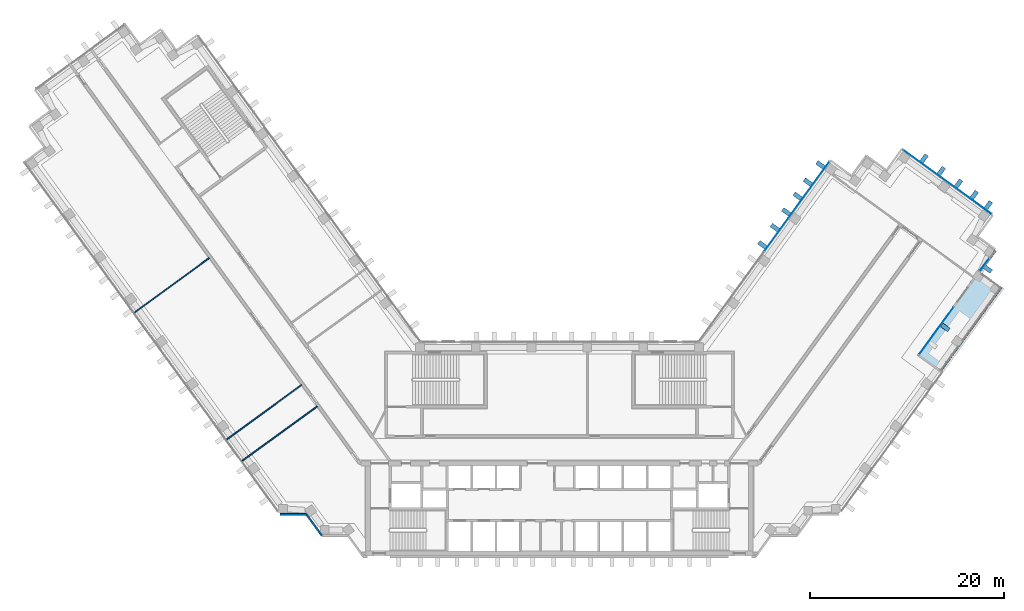
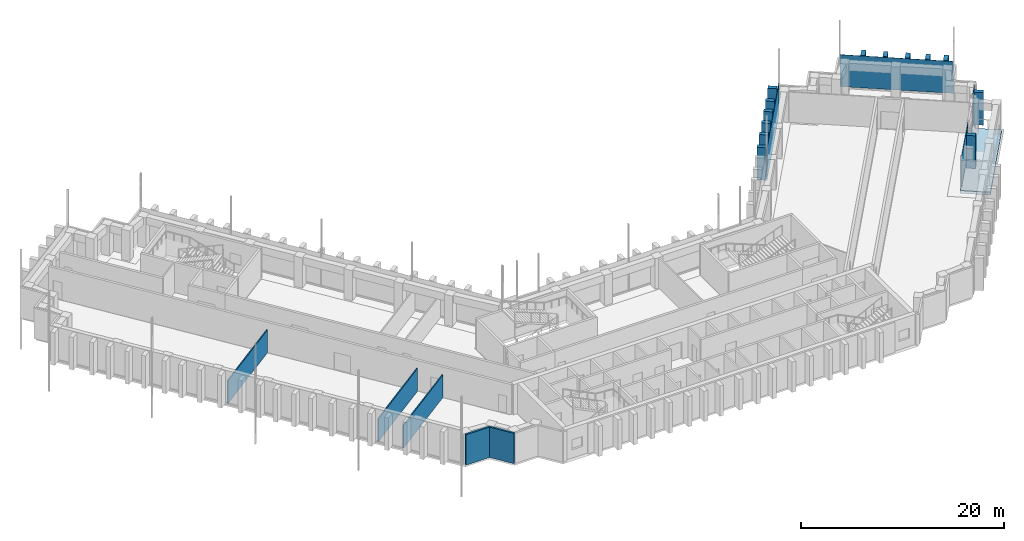
# One storey, part 8 of 16: 17 plates, 5 walls, 1 slab, 4 elements without a shape of their own.
"""IFC4 building model written with IfcOpenShell, lengths in metres."""

from ifc_helpers import new_model, si_unit, direction, frame, frame_2d, origin, origin_2d, place, context, subcontext, project, spatial, polyline, rectangle, outline, extrude, material, layer, layer_set, type_object, element, aggregate, save


model = new_model("IFC4")

# Units and contexts
model_context = context("Model", 3, precision=1e-05, world=origin(), true_north=direction((0.0, 1.0)))
body_context = subcontext(model_context, "Body", "Model", "MODEL_VIEW")
ifc_project = project(units=[si_unit("LENGTHUNIT", "METRE"), si_unit("AREAUNIT", "SQUARE_METRE"), si_unit("VOLUMEUNIT", "CUBIC_METRE"), si_unit("PLANEANGLEUNIT", "RADIAN"), si_unit("MASSUNIT", "GRAM", prefix="KILO")], contexts=[model_context])

# Site, building, storey
site_placement = place(None, origin())
site = spatial("IfcSite", under=ifc_project, at=site_placement, CompositionType="ELEMENT")
building_placement = place(site_placement, origin())
building = spatial("IfcBuilding", under=site, at=building_placement, Name="Quipu Civic Tower", CompositionType="ELEMENT")
storey_placement = place(building_placement, frame((0.0, 0.0, 89.0)))
storey = spatial("IfcBuildingStorey", under=building, at=storey_placement, Name="L20", CompositionType="ELEMENT", Elevation=89.0)

# Curtain wall, plate
ifc_material_1 = material(Name="Insulated glass unit", Category="glass")
curtain_wall_type = type_object("IfcCurtainWallType", Name="Office curtain wall CW1", PredefinedType="NOTDEFINED", material=ifc_material_1)
curtain_wall_1_placement = place(storey_placement, origin())
curtain_wall_1 = element("IfcCurtainWall", 1, at=curtain_wall_1_placement, inside=storey, type_object=curtain_wall_type, Name="Office curtain wall CW1 L20 run 3", PredefinedType="NOTDEFINED")
ifc_material_2 = material(Name="Insulated glass unit", Category="glass")
ifc_layer_1 = layer(ifc_material_2, 0.028076171875)
ifc_layer_set_1 = layer_set([ifc_layer_1], Name="Insulated glass unit")
plate_type_1 = type_object("IfcPlateType", Name="Glass panel CW1", PredefinedType="CURTAIN_PANEL", material=ifc_layer_set_1)
plate_1_placement = place(storey_placement, frame((38.896728515625, 12.228515625, 0.240234375), z_axis=(0.0, 0.0, 1.0), x_axis=(0.587789972461, 0.809013564951, 0.0)))
plate_1 = element("IfcPlate", 2, at=plate_1_placement, type_object=plate_type_1, Name="CW1 panel 1.1", PredefinedType="CURTAIN_PANEL", context=body_context, shape_type="SweptSolid", body=[
    extrude(rectangle(XDim=6.04052734375, YDim=0.028076171875, at=origin_2d()), origin(), (0.0, 0.0, 1.0), 3.679931640625),
])
aggregate(curtain_wall_1, [plate_1])

curtain_wall_2_placement = place(storey_placement, origin())
curtain_wall_2 = element("IfcCurtainWall", 3, at=curtain_wall_2_placement, inside=storey, type_object=curtain_wall_type, Name="Office curtain wall CW1 L20 run 6", PredefinedType="NOTDEFINED")
plate_2_placement = place(storey_placement, frame((43.86376953125, 19.065185546875, 0.240234375), z_axis=(0.0, 0.0, 1.0), x_axis=(0.587779090952, 0.809021470815, 0.0)))
plate_2 = element("IfcPlate", 4, at=plate_2_placement, type_object=plate_type_1, Name="CW1 panel 1.1", PredefinedType="CURTAIN_PANEL", context=body_context, shape_type="SweptSolid", body=[
    extrude(rectangle(XDim=1.642578125, YDim=0.028076171875, at=origin_2d()), origin(), (0.0, 0.0, 1.0), 3.679931640625),
])
aggregate(curtain_wall_2, [plate_2])

curtain_wall_3_placement = place(storey_placement, origin())
curtain_wall_3 = element("IfcCurtainWall", 5, at=curtain_wall_3_placement, inside=storey, type_object=curtain_wall_type, Name="Office curtain wall CW1 L19 run 6", PredefinedType="NOTDEFINED")
plate_3_placement = place(storey_placement, frame((40.04345703125, 27.58740234375, 0.16015625), z_axis=(0.0, 0.0, 1.0), x_axis=(-0.809015176832, 0.587787753918, 0.0)))
plate_3 = element("IfcPlate", 6, at=plate_3_placement, type_object=plate_type_1, Name="CW1 panel 1.2", PredefinedType="CURTAIN_PANEL", context=body_context, shape_type="SweptSolid", body=[
    extrude(rectangle(XDim=11.239990234375, YDim=0.028076171875, at=origin_2d()), origin(), (0.0, 0.0, 1.0), 3.840087890625),
])
aggregate(curtain_wall_3, [plate_3])

curtain_wall_4_placement = place(storey_placement, origin())
curtain_wall_4 = element("IfcCurtainWall", 7, at=curtain_wall_4_placement, inside=storey, type_object=curtain_wall_type, Name="Office curtain wall CW1 L19 run 11", PredefinedType="NOTDEFINED")
plate_4_placement = place(storey_placement, frame((24.491455078125, 25.066162109375, 0.16015625), z_axis=(0.0, 0.0, 1.0), x_axis=(-0.587788727052, -0.809014469803, 0.0)))
plate_4 = element("IfcPlate", 8, at=plate_4_placement, type_object=plate_type_1, Name="CW1 panel 1.2", PredefinedType="CURTAIN_PANEL", context=body_context, shape_type="SweptSolid", body=[
    extrude(rectangle(XDim=11.402099609375, YDim=0.028076171875, at=origin_2d()), origin(), (0.0, 0.0, 1.0), 3.840087890625),
])
aggregate(curtain_wall_4, [plate_4])

# Plates
ifc_material_3 = material(Name="Precast concrete C40/50", Category="concrete")
plate_type_2 = type_object("IfcPlateType", Name="Precast fin F1", PredefinedType="SHEET", material=ifc_material_3)
for number, where, z_axis, x_axis, name in (
    (9, (39.826416015625, 12.572509765625, 0.080078125), (0.0, 0.0, 1.0), (0.587786244816, 0.809016273264, 0.0), "Precast fin F1 L20.3.2"),
    (10, (44.205078125, 18.59912109375, 0.080078125), (0.0, 0.0, 1.0), (0.587786244816, 0.809016273264, 0.0), "Precast fin F1 L20.6.1"),
    (11, (44.270263671875, 25.1962890625, 0.080078125), (0.0, 0.0, 1.0), (-0.809017072762, 0.587785144401, 0.0), "Precast fin F1 L20.P02.1"),
    (12, (42.81396484375, 26.25439453125, 0.080078125), (0.0, 0.0, 1.0), (-0.809017072762, 0.587785144401, 0.0), "Precast fin F1 L20.P02.2"),
    (13, (41.196044921875, 27.429931640625, 0.080078125), (0.0, 0.0, 1.0), (-0.809017072762, 0.587785144401, 0.0), "Precast fin F1 L20.P02.3"),
    (14, (39.416259765625, 28.72314453125, 0.080078125), (0.0, 0.0, 1.0), (-0.809017072762, 0.587785144401, 0.0), "Precast fin F1 L20.P02.4"),
    (15, (37.63623046875, 30.01611328125, 0.080078125), (0.0, 0.0, 1.0), (-0.809017072762, 0.587785144401, 0.0), "Precast fin F1 L20.P02.5"),
    (16, (26.93017578125, 29.358642578125, 0.080078125), (0.0, 0.0, 1.0), (-0.587787133119, -0.809015627871, 0.0), "Precast fin F1 L20.P07.1"),
    (17, (25.636962890625, 27.578857421875, 0.080078125), (0.0, 0.0, 1.0), (-0.587787133119, -0.809015627871, 0.0), "Precast fin F1 L20.P07.2"),
    (18, (24.578857421875, 26.12255859375, 0.080078125), (0.0, 0.0, 1.0), (-0.587787133119, -0.809015627871, 0.0), "Precast fin F1 L20.P07.3"),
    (19, (23.4033203125, 24.50439453125, 0.080078125), (0.0, 0.0, 1.0), (-0.587787133119, -0.809015627871, 0.0), "Precast fin F1 L20.P07.4"),
    (20, (22.227783203125, 22.886474609375, 0.080078125), (0.0, 0.0, 1.0), (-0.587787133119, -0.809015627871, 0.0), "Precast fin F1 L20.P07.5"),
    (21, (20.9345703125, 21.106689453125, 0.080078125), (0.0, 0.0, 1.0), (-0.587787133119, -0.809015627871, 0.0), "Precast fin F1 L20.P07.6"),
):
    element("IfcPlate", number, at=place(storey_placement, frame(where, z_axis=z_axis, x_axis=x_axis)), inside=storey, type_object=plate_type_2, Name=name, PredefinedType="SHEET", context=body_context, shape_type="SweptSolid", body=[
        extrude(rectangle(XDim=0.449951171875, YDim=0.89990234375, at=origin_2d()), origin(), (0.0, 0.0, 1.0), 3.919921875),
    ])

# Slab
ifc_material_4 = material(Name="Concrete C40/50", Category="concrete")
ifc_layer_2 = layer(ifc_material_4, 0.35009765625)
ifc_layer_set_2 = layer_set([ifc_layer_2], Name="Concrete C40/50")
slab_type = type_object("IfcSlabType", Name="Terrace slab 350 C40/50", PredefinedType="FLOOR", material=ifc_layer_set_2)
slab_placement = place(storey_placement, frame((0.0, 0.0, -0.35009765625)))
element("IfcSlab", 22, at=slab_placement, inside=storey, type_object=slab_type, Name="Terrace slab L20", PredefinedType="FLOOR", context=body_context, shape_type="SweptSolid", body=[
    extrude(outline(polyline([(45.114990234375, 20.445068359375), (43.52490234375, 18.260009765625), (45.7099609375, 16.669921875), (39.360107421875, 7.93505859375), (36.93505859375, 9.699951171875), (44.8701171875, 20.6201171875), (45.114990234375, 20.445068359375)])), origin(), (0.0, 0.0, 1.0), 0.35009765625),
])

# Walls
ifc_material_5 = material(Name="Gypsum plasterboard on light gauge framing")
ifc_layer_3 = layer(ifc_material_5, 0.1201171875)
ifc_layer_set_3 = layer_set([ifc_layer_3], Name="Gypsum plasterboard on light gauge framing")
wall_type_1 = type_object("IfcWallType", Name="Partition 120 plasterboard", PredefinedType="PARTITIONING", material=ifc_layer_set_3)
for number, where, z_axis, x_axis, name in (
    (23, (-25.00830078125, 4.4267578125, 0.0), (0.0, 0.0, 1.0), (-0.808994684961, -0.587815957341, 0.0), "Partition P03"),
    (24, (-43.8544921875, 14.118408203125, 0.0), (0.0, 0.0, 1.0), (0.807691251741, 0.589605666408, 0.0), "Partition P05"),
):
    element("IfcWall", number, at=place(storey_placement, frame(where, z_axis=z_axis, x_axis=x_axis)), inside=storey, type_object=wall_type_1, Name=name, PredefinedType="PARTITIONING", context=body_context, shape_type="SweptSolid", body=[
        extrude(rectangle(XDim=9.55029296875, YDim=0.1201171875, at=frame_2d((4.775146484375, 0.0))), origin(), (0.0, 0.0, 1.0), 2.75),
    ])
wall_1_placement = place(storey_placement, frame((-34.33154296875, 1.01123046875, 0.0), z_axis=(0.0, 0.0, 1.0), x_axis=(0.807594822539, 0.589737740532, 0.0)))
element("IfcWall", 25, at=wall_1_placement, inside=storey, type_object=wall_type_1, Name="Partition P08", PredefinedType="PARTITIONING", context=body_context, shape_type="SweptSolid", body=[
    extrude(rectangle(XDim=9.550048828125, YDim=0.1201171875, at=frame_2d((4.77490234375, 0.0))), origin(), (0.0, 0.0, 1.0), 2.75),
])
ifc_material_6 = material(Name="Precast concrete C40/50", Category="concrete")
wall_type_2 = type_object("IfcWallType", Name="Precast cladding wall", PredefinedType="SOLIDWALL", material=ifc_material_6)
wall_2_placement = place(storey_placement, frame((-28.829833984375, -6.71923828125, 0.0), z_axis=(0.0, 0.0, 1.0), x_axis=(1.0, 0.0, 0.0)))
element("IfcWall", 26, at=wall_2_placement, inside=storey, type_object=wall_type_2, Name="Precast cladding wall L20 P24", PredefinedType="SOLIDWALL", context=body_context, shape_type="SweptSolid", body=[
    extrude(rectangle(XDim=2.699951171875, YDim=0.199951171875, at=frame_2d((1.35009765625, 0.0))), origin(), (0.0, 0.0, 1.0), 3.64990234375),
])
wall_3_placement = place(storey_placement, frame((-26.1201171875, -6.72412109375, 0.0), z_axis=(0.0, 0.0, 1.0), x_axis=(0.587720002413, -0.809064397168, 0.0)))
element("IfcWall", 27, at=wall_3_placement, inside=storey, type_object=wall_type_2, Name="Precast cladding wall L20 P25", PredefinedType="SOLIDWALL", context=body_context, shape_type="SweptSolid", body=[
    extrude(rectangle(XDim=2.7001953125, YDim=0.199951171875, at=frame_2d((1.35009765625, 0.0))), origin(), (0.0, 0.0, 1.0), 3.64990234375),
])

save(model, "model.ifc")
